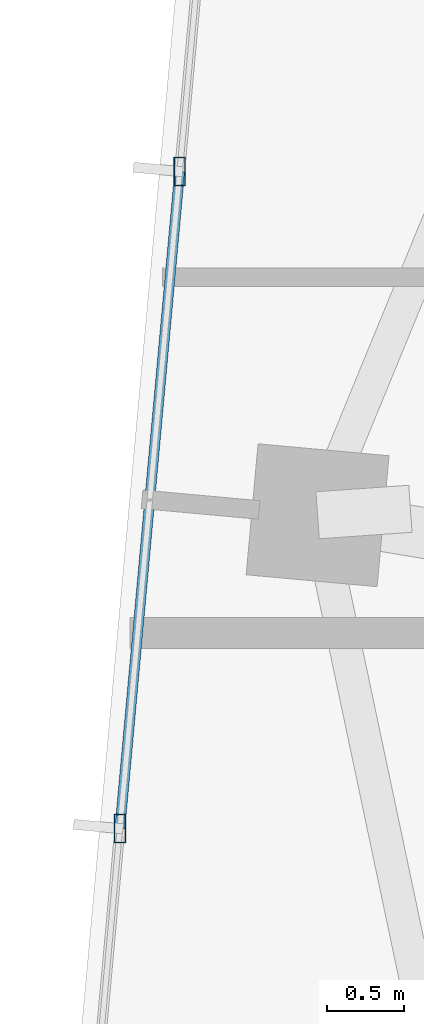
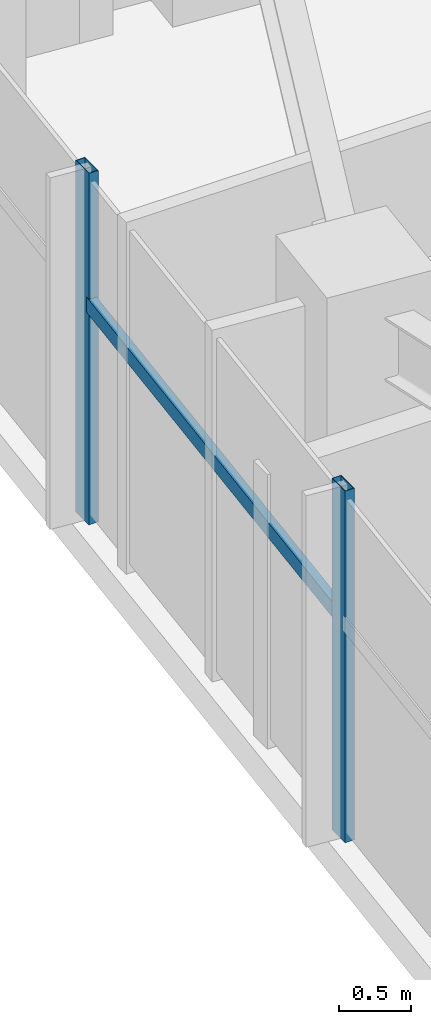
# One storey, part 4 of 22: 3 members, 1 element without a shape of its own.
"""IFC4 building model written with IfcOpenShell, lengths in metres."""

from ifc_helpers import new_model, si_unit, direction, frame, origin, origin_2d, place, context, subcontext, project, spatial, hollow_rectangle, extrude, source, transform, mapped, material, material_profile, profile_set, type_object, type_shapes, element, aggregate, save


model = new_model("IFC4")

# Units and contexts
model_context = context("Model", 3, precision=1e-05, world=origin(), true_north=direction((0.0, 1.0)))
body_context = subcontext(model_context, "Body", "Model", "MODEL_VIEW")
ifc_project = project(units=[si_unit("LENGTHUNIT", "METRE"), si_unit("AREAUNIT", "SQUARE_METRE"), si_unit("VOLUMEUNIT", "CUBIC_METRE"), si_unit("PLANEANGLEUNIT", "RADIAN"), si_unit("MASSUNIT", "GRAM", prefix="KILO")], contexts=[model_context])

# Site, building, storey
site_placement = place(None, origin())
site = spatial("IfcSite", under=ifc_project, at=site_placement, CompositionType="ELEMENT")
building_placement = place(site_placement, origin())
building = spatial("IfcBuilding", under=site, at=building_placement, Name="Astriad Promenade Condominiums", CompositionType="ELEMENT")
storey_placement = place(building_placement, frame((0.0, 0.0, 256.199951171875)))
storey = spatial("IfcBuildingStorey", under=building, at=storey_placement, Name="L74", CompositionType="ELEMENT", Elevation=256.199951171875)

# Curtain wall, members
ifc_material_1 = material(Name="Anodised aluminium Black Dark Glass Unitised", Category="aluminium")
curtain_wall_type = type_object("IfcCurtainWallType", Name="CW-B5-DARK", PredefinedType="USERDEFINED", material=ifc_material_1)
curtain_wall_placement = place(storey_placement, origin())
curtain_wall = element("IfcCurtainWall", 1, at=curtain_wall_placement, inside=storey, type_object=curtain_wall_type, Name="CW-L74-W", ObjectType="UNITISED_CURTAIN_WALL", PredefinedType="USERDEFINED")
ifc_material_2 = material(Name="Anodised aluminium 6063-T6 Black", Category="aluminium")
ifc_material_profile_1 = material_profile(ifc_material_2, hollow_rectangle(XDim=0.06494140625, YDim=0.1298828125, WallThickness=0.00390625, at=origin_2d()), Name="ALU-TRN-65X130")
ifc_profile_set_1 = profile_set([ifc_material_profile_1], Name="Anodised aluminium 6063-T6 Black")
member_type_1 = type_object("IfcMemberType", Name="TRN-ALU-TRN-65X130", PredefinedType="USERDEFINED", material=ifc_profile_set_1)
shared_shape_1 = source(origin(), body_context, "Body", "SweptSolid", [
    extrude(hollow_rectangle(XDim=0.06494140625, YDim=0.1298828125, WallThickness=0.00390625, at=origin_2d()), origin(), (0.0, 0.0, 1.0), 4.266845703125),
])
type_shapes(member_type_1, [shared_shape_1])
member_1_placement = place(storey_placement, frame((9.4326171875, 17.984375, 1.860107421875), z_axis=(0.090577018386, 0.995889453574, 0.0), x_axis=(-0.995889453574, 0.090577018386, 0.0)))
member_1 = element("IfcMember", 2, at=member_1_placement, type_object=member_type_1, Name="CW-L74-W-TRN-01-0", ObjectType="TRANSOM", PredefinedType="USERDEFINED", context=body_context, shape_type="MappedRepresentation", body=[
    mapped(shared_shape_1, transform((0.0, 0.0, 0.0), scale=1.0)),
])
ifc_material_profile_2 = material_profile(ifc_material_2, hollow_rectangle(XDim=0.074951171875, YDim=0.18505859375, WallThickness=0.00439453125, at=origin_2d()), Name="ALU-MUL-75X185")
ifc_profile_set_2 = profile_set([ifc_material_profile_2], Name="Anodised aluminium 6063-T6 Black")
member_type_2 = type_object("IfcMemberType", Name="MUL-ALU-MUL-75X185", PredefinedType="MULLION", material=ifc_profile_set_2)
shared_shape_2 = source(origin(), body_context, "Body", "SweptSolid", [
    extrude(hollow_rectangle(XDim=0.074951171875, YDim=0.18505859375, WallThickness=0.00439453125, at=origin_2d()), origin(), (0.0, 0.0, 1.0), 3.0),
])
type_shapes(member_type_2, [shared_shape_2])
member_2_placement = place(storey_placement, frame((9.4326171875, 17.984375, 0.0), z_axis=(0.0, 0.0, 1.0), x_axis=(1.0, 0.0, 0.0)))
member_2 = element("IfcMember", 3, at=member_2_placement, type_object=member_type_2, Name="CW-L74-W-MUL-01", PredefinedType="MULLION", context=body_context, shape_type="MappedRepresentation", body=[
    mapped(shared_shape_2, transform((0.0, 0.0, 0.0), scale=1.0)),
])
member_3_placement = place(storey_placement, frame((9.819091796875, 22.233642578125, 0.0), z_axis=(0.0, 0.0, 1.0), x_axis=(1.0, 0.0, 0.0)))
member_3 = element("IfcMember", 4, at=member_3_placement, type_object=member_type_2, Name="CW-L74-W-MUL-02", PredefinedType="MULLION", context=body_context, shape_type="MappedRepresentation", body=[
    mapped(shared_shape_2, transform((0.0, 0.0, 0.0), scale=1.0)),
])
aggregate(curtain_wall, [member_2, member_3, member_1])

save(model, "model.ifc")
